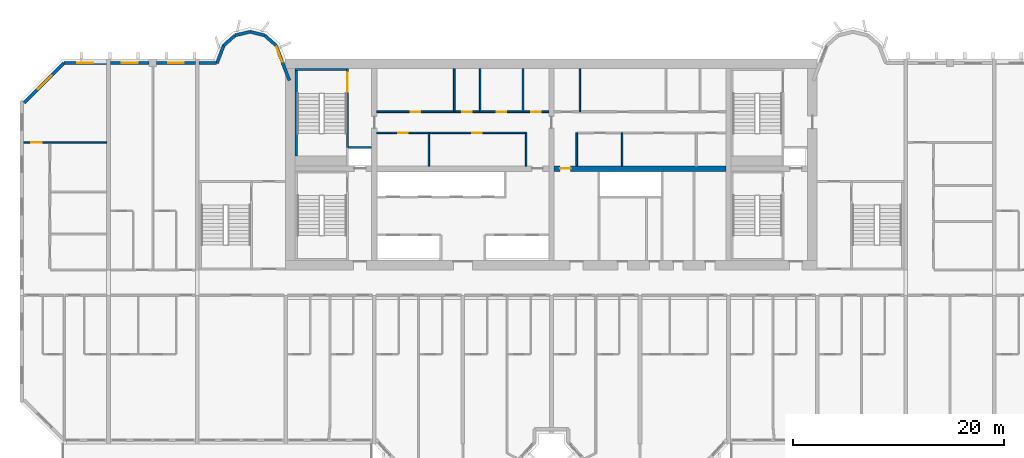
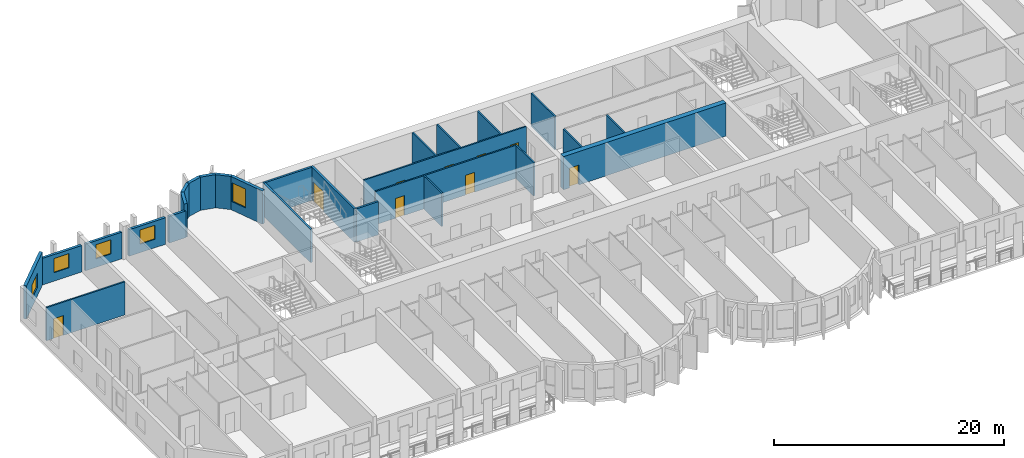
# One storey, part 7 of 15: 27 walls, 9 doors, 5 windows, 14 openings.
"""IFC4 building model written with IfcOpenShell, lengths in metres."""

from ifc_helpers import new_model, si_unit, direction, frame, frame_2d, origin, place, context, subcontext, project, spatial, rectangle, extrude, source, transform, mapped, material, layer, layer_set, type_object, element, fill, save


model = new_model("IFC4")

# Units and contexts
model_context = context("Model", 3, precision=1e-05, world=origin(), true_north=direction((0.0, 1.0)))
body_context = subcontext(model_context, "Body", "Model", "MODEL_VIEW")
ifc_project = project(units=[si_unit("LENGTHUNIT", "METRE"), si_unit("AREAUNIT", "SQUARE_METRE"), si_unit("VOLUMEUNIT", "CUBIC_METRE"), si_unit("PLANEANGLEUNIT", "RADIAN"), si_unit("MASSUNIT", "GRAM", prefix="KILO")], contexts=[model_context])

# Site, building, storey
site_placement = place(None, origin())
site = spatial("IfcSite", under=ifc_project, at=site_placement, CompositionType="ELEMENT")
building_placement = place(site_placement, origin())
building = spatial("IfcBuilding", under=site, at=building_placement, Name="Vanashikhar Sky Hotel", CompositionType="ELEMENT")
storey_placement = place(building_placement, frame((0.0, 0.0, 95.199951171875)))
storey = spatial("IfcBuildingStorey", under=building, at=storey_placement, Name="L22", CompositionType="ELEMENT", Elevation=95.199951171875)

# Wall, opening, door
ifc_material_1 = material(Name="Concrete M70", Category="concrete")
ifc_layer_1 = layer(ifc_material_1, 0.5)
ifc_layer_set_1 = layer_set([ifc_layer_1], Name="RC core inner wall 500 Concrete M70")
wall_type_1 = type_object("IfcWallType", Name="RC core inner wall 500 Concrete M70", PredefinedType="SHEAR", material=ifc_layer_set_1)
shared_shape_1 = source(origin(), body_context, "Body", "SweptSolid", [
    extrude(rectangle(XDim=16.300048828125, YDim=0.5, at=frame_2d((8.14990234375, 0.0))), origin(), (0.0, 0.0, 1.0), 3.52001953125),
])
wall_1_placement = place(storey_placement, frame((50.64990234375, 31.60009765625, 0.0), z_axis=(0.0, 0.0, 1.0), x_axis=(1.0, 0.0, 0.0)))
wall_1 = element("IfcWall", 1, at=wall_1_placement, inside=storey, type_object=wall_type_1, Name="KW-L22-KY3", PredefinedType="SHEAR", context=body_context, shape_type="MappedRepresentation", body=[
    mapped(shared_shape_1, transform((0.0, 0.0, 0.0), scale=1.0)),
])
shared_shape_2 = source(origin(), body_context, "Body", "SweptSolid", [
    extrude(rectangle(XDim=1.0, YDim=2.10009765625, at=frame_2d((0.5, 1.050048828125))), frame((0.0, 0.260009765625, 0.0), z_axis=(0.0, -1.0, 0.0), x_axis=(1.0, 0.0, 0.0)), (0.0, 0.0, 1.0), 0.52001953125),
])
opening_1_placement = place(wall_1_placement, frame((0.574951171875, 0.0, 0.0)))
opening_1 = element("IfcOpeningElement", 2, at=opening_1_placement, cuts=wall_1, Name="Opening DC-4", PredefinedType="OPENING", context=body_context, shape_type="MappedRepresentation", body=[
    mapped(shared_shape_2, transform((0.0, 0.0, 0.0), scale=1.0)),
])
ifc_material_2 = material(Name="Steel", Category="steel")
door_type_1 = type_object("IfcDoorType", Name="Service door 1000 FD60", OperationType="NOTDEFINED", PredefinedType="DOOR", material=ifc_material_2)
shared_shape_3 = source(origin(), body_context, "Body", "SweptSolid", [
    extrude(rectangle(XDim=1.0, YDim=2.10009765625, at=frame_2d((0.5, 1.050048828125))), frame((0.0, 0.02490234375, 0.0), z_axis=(0.0, -1.0, 0.0), x_axis=(1.0, 0.0, 0.0)), (0.0, 0.0, 1.0), 0.050048828125),
])
door_1_placement = place(opening_1_placement, origin())
door_1 = element("IfcDoor", 3, at=door_1_placement, inside=storey, type_object=door_type_1, Name="Service door 1000 FD60", OperationType="SINGLE_SWING_LEFT", OverallHeight=2.10009765625, OverallWidth=1.0, PredefinedType="DOOR", context=body_context, shape_type="MappedRepresentation", body=[
    mapped(shared_shape_3, transform((0.0, 0.0, 0.0), scale=1.0)),
])
fill(opening_1, door_1)

# Wall, opening, window
ifc_material_3 = material(Name="Concrete M50", Category="concrete")
ifc_layer_2 = layer(ifc_material_3, 0.300048828125)
ifc_layer_set_2 = layer_set([ifc_layer_2], Name="Lobe wall 300")
wall_type_2 = type_object("IfcWallType", Name="Lobe wall 300", PredefinedType="SOLIDWALL", material=ifc_layer_set_2)
shared_shape_4 = source(origin(), body_context, "Body", "SweptSolid", [
    extrude(rectangle(XDim=5.32568359375, YDim=0.300048828125, at=frame_2d((2.662841796875, 0.0))), origin(), (0.0, 0.0, 1.0), 3.52001953125),
])
wall_2_placement = place(storey_placement, frame((4.165771484375, 41.60009765625, 0.0), z_axis=(0.0, 0.0, 1.0), x_axis=(-0.707106781187, -0.707106781187, 0.0)))
wall_2 = element("IfcWall", 4, at=wall_2_placement, inside=storey, type_object=wall_type_2, Name="Corner wall", PredefinedType="SOLIDWALL", context=body_context, shape_type="MappedRepresentation", body=[
    mapped(shared_shape_4, transform((0.0, 0.0, 0.0), scale=1.0)),
])
shared_shape_5 = source(origin(), body_context, "Body", "SweptSolid", [
    extrude(rectangle(XDim=1.800048828125, YDim=1.5, at=frame_2d((0.89990234375, 0.75))), frame((0.0, 0.16015625, 0.0), z_axis=(0.0, -1.0, 0.0), x_axis=(1.0, 0.0, 0.0)), (0.0, 0.0, 1.0), 0.320068359375),
])
opening_2_placement = place(wall_2_placement, frame((1.671875, 0.0, 0.89990234375)))
opening_2 = element("IfcOpeningElement", 5, at=opening_2_placement, cuts=wall_2, Name="Opening WN-4", PredefinedType="OPENING", context=body_context, shape_type="MappedRepresentation", body=[
    mapped(shared_shape_5, transform((0.0, 0.0, 0.0), scale=1.0)),
])
ifc_material_4 = material(Name="Glass", Category="glass")
window_type_1 = type_object("IfcWindowType", Name="Corner window 1800 x 1500", PartitioningType="SINGLE_PANEL", PredefinedType="WINDOW", material=ifc_material_4)
shared_shape_6 = source(origin(), body_context, "Body", "SweptSolid", [
    extrude(rectangle(XDim=1.800048828125, YDim=1.5, at=frame_2d((0.89990234375, 0.75))), frame((0.0, 0.030029296875, 0.0), z_axis=(0.0, -1.0, 0.0), x_axis=(1.0, 0.0, 0.0)), (0.0, 0.0, 1.0), 0.06005859375),
])
window_1_placement = place(opening_2_placement, origin())
window_1 = element("IfcWindow", 6, at=window_1_placement, inside=storey, type_object=window_type_1, Name="Window WN-4", OverallHeight=1.5, OverallWidth=1.800048828125, PartitioningType="SINGLE_PANEL", PredefinedType="WINDOW", context=body_context, shape_type="MappedRepresentation", body=[
    mapped(shared_shape_6, transform((0.0, 0.0, 0.0), scale=1.0)),
])
fill(opening_2, window_1)

shared_shape_7 = source(origin(), body_context, "Body", "SweptSolid", [
    extrude(rectangle(XDim=3.55908203125, YDim=0.300048828125, at=frame_2d((1.779541015625, 0.0))), origin(), (0.0, 0.0, 1.0), 3.52001953125),
])
wall_3_placement = place(storey_placement, frame((25.550048828125, 39.968505859375, 0.0), z_axis=(0.0, 0.0, 1.0), x_axis=(-0.35779745313, 0.933799219604, 0.0)))
wall_3 = element("IfcWall", 7, at=wall_3_placement, inside=storey, type_object=wall_type_2, Name="Lobe wall", PredefinedType="SOLIDWALL", context=body_context, shape_type="MappedRepresentation", body=[
    mapped(shared_shape_7, transform((0.0, 0.0, 0.0), scale=1.0)),
])
shared_shape_8 = source(origin(), body_context, "Body", "SweptSolid", [
    extrude(rectangle(XDim=1.5, YDim=2.0, at=frame_2d((0.75, 1.0))), frame((0.0, 0.16015625, 0.0), z_axis=(0.0, -1.0, 0.0), x_axis=(1.0, 0.0, 0.0)), (0.0, 0.0, 1.0), 0.320068359375),
])
opening_3_placement = place(wall_3_placement, frame((1.9033203125, 0.0, 0.89990234375)))
opening_3 = element("IfcOpeningElement", 8, at=opening_3_placement, cuts=wall_3, Name="Opening WN-2", PredefinedType="OPENING", context=body_context, shape_type="MappedRepresentation", body=[
    mapped(shared_shape_8, transform((0.0, 0.0, 0.0), scale=1.0)),
])
window_type_2 = type_object("IfcWindowType", Name="Lobe window 1500 x 2000", PartitioningType="SINGLE_PANEL", PredefinedType="WINDOW", material=ifc_material_4)
shared_shape_9 = source(origin(), body_context, "Body", "SweptSolid", [
    extrude(rectangle(XDim=1.5, YDim=2.0, at=frame_2d((0.75, 1.0))), frame((0.0, 0.030029296875, 0.0), z_axis=(0.0, -1.0, 0.0), x_axis=(1.0, 0.0, 0.0)), (0.0, 0.0, 1.0), 0.06005859375),
])
window_2_placement = place(opening_3_placement, origin())
window_2 = element("IfcWindow", 9, at=window_2_placement, inside=storey, type_object=window_type_2, Name="Window WN-2", OverallHeight=2.0, OverallWidth=1.5, PartitioningType="SINGLE_PANEL", PredefinedType="WINDOW", context=body_context, shape_type="MappedRepresentation", body=[
    mapped(shared_shape_9, transform((0.0, 0.0, 0.0), scale=1.0)),
])
fill(opening_3, window_2)

# Walls
shared_shape_10 = source(origin(), body_context, "Body", "SweptSolid", [
    extrude(rectangle(XDim=1.440185546875, YDim=0.300048828125, at=frame_2d((0.72021484375, 0.0))), origin(), (0.0, 0.0, 1.0), 3.52001953125),
])
wall_4_placement = place(storey_placement, frame((24.276611328125, 43.2919921875, 0.0), z_axis=(0.0, 0.0, 1.0), x_axis=(-0.749649827867, 0.661834673902, 0.0)))
element("IfcWall", 10, at=wall_4_placement, inside=storey, type_object=wall_type_2, Name="Lobe wall", PredefinedType="SOLIDWALL", context=body_context, shape_type="MappedRepresentation", body=[
    mapped(shared_shape_10, transform((0.0, 0.0, 0.0), scale=1.0)),
])
shared_shape_11 = source(origin(), body_context, "Body", "SweptSolid", [
    extrude(rectangle(XDim=1.4384765625, YDim=0.300048828125, at=frame_2d((0.71923828125, 0.0))), origin(), (0.0, 0.0, 1.0), 3.52001953125),
])
wall_5_placement = place(storey_placement, frame((23.197021484375, 44.2451171875, 0.0), z_axis=(0.0, 0.0, 1.0), x_axis=(-0.971152283879, 0.238460146601, 0.0)))
element("IfcWall", 11, at=wall_5_placement, inside=storey, type_object=wall_type_2, Name="Lobe wall", PredefinedType="SOLIDWALL", context=body_context, shape_type="MappedRepresentation", body=[
    mapped(shared_shape_11, transform((0.0, 0.0, 0.0), scale=1.0)),
])
shared_shape_12 = source(origin(), body_context, "Body", "SweptSolid", [
    extrude(rectangle(XDim=1.438720703125, YDim=0.300048828125, at=frame_2d((0.71923828125, 0.0))), origin(), (0.0, 0.0, 1.0), 3.52001953125),
])
wall_6_placement = place(storey_placement, frame((21.800048828125, 44.588134765625, 0.0), z_axis=(0.0, 0.0, 1.0), x_axis=(-0.971161932466, -0.238420848351, 0.0)))
element("IfcWall", 12, at=wall_6_placement, inside=storey, type_object=wall_type_2, Name="Lobe wall", PredefinedType="SOLIDWALL", context=body_context, shape_type="MappedRepresentation", body=[
    mapped(shared_shape_12, transform((0.0, 0.0, 0.0), scale=1.0)),
])
shared_shape_13 = source(origin(), body_context, "Body", "SweptSolid", [
    extrude(rectangle(XDim=1.43994140625, YDim=0.300048828125, at=frame_2d((0.719970703125, 0.0))), origin(), (0.0, 0.0, 1.0), 3.52001953125),
])
wall_7_placement = place(storey_placement, frame((20.40283203125, 44.2451171875, 0.0), z_axis=(0.0, 0.0, 1.0), x_axis=(-0.74957555648, -0.661918790432, 0.0)))
element("IfcWall", 13, at=wall_7_placement, inside=storey, type_object=wall_type_2, Name="Lobe wall", PredefinedType="SOLIDWALL", context=body_context, shape_type="MappedRepresentation", body=[
    mapped(shared_shape_13, transform((0.0, 0.0, 0.0), scale=1.0)),
])
shared_shape_14 = source(origin(), body_context, "Body", "SweptSolid", [
    extrude(rectangle(XDim=1.81201171875, YDim=0.300048828125, at=frame_2d((0.906005859375, 0.0))), origin(), (0.0, 0.0, 1.0), 3.52001953125),
])
wall_8_placement = place(storey_placement, frame((19.323486328125, 43.2919921875, 0.0), z_axis=(0.0, 0.0, 1.0), x_axis=(-0.357877270961, -0.93376863244, 0.0)))
element("IfcWall", 14, at=wall_8_placement, inside=storey, type_object=wall_type_2, Name="Lobe wall", PredefinedType="SOLIDWALL", context=body_context, shape_type="MappedRepresentation", body=[
    mapped(shared_shape_14, transform((0.0, 0.0, 0.0), scale=1.0)),
])

# Wall, opening, window
ifc_layer_3 = layer(ifc_material_3, 0.25)
ifc_layer_set_3 = layer_set([ifc_layer_3], Name="Rear and end board-marked wall 250")
wall_type_3 = type_object("IfcWallType", Name="Rear and end board-marked wall 250", PredefinedType="SOLIDWALL", material=ifc_layer_set_3)
shared_shape_15 = source(origin(), body_context, "Body", "SweptSolid", [
    extrude(rectangle(XDim=4.06982421875, YDim=0.25, at=frame_2d((2.034912109375, 0.0))), origin(), (0.0, 0.0, 1.0), 2.820068359375),
])
wall_9_placement = place(storey_placement, frame((8.22509765625, 41.625, 0.0), z_axis=(0.0, 0.0, 1.0), x_axis=(-1.0, 0.0, 0.0)))
wall_9 = element("IfcWall", 15, at=wall_9_placement, inside=storey, type_object=wall_type_3, Name="Rear board-marked wall", PredefinedType="SOLIDWALL", context=body_context, shape_type="MappedRepresentation", body=[
    mapped(shared_shape_15, transform((0.0, 0.0, 0.0), scale=1.0)),
])
shared_shape_16 = source(origin(), body_context, "Body", "SweptSolid", [
    extrude(rectangle(XDim=1.5, YDim=1.5, at=frame_2d((0.75, 0.75))), frame((0.0, 0.135009765625, 0.0), z_axis=(0.0, -1.0, 0.0), x_axis=(1.0, 0.0, 0.0)), (0.0, 0.0, 1.0), 0.27001953125),
])
opening_4_placement = place(wall_9_placement, frame((1.284912109375, 0.0, 0.89990234375)))
opening_4 = element("IfcOpeningElement", 16, at=opening_4_placement, cuts=wall_9, Name="Opening WN-1", PredefinedType="OPENING", context=body_context, shape_type="MappedRepresentation", body=[
    mapped(shared_shape_16, transform((0.0, 0.0, 0.0), scale=1.0)),
])
window_type_3 = type_object("IfcWindowType", Name="Window 1500 x 1500", PartitioningType="SINGLE_PANEL", PredefinedType="WINDOW", material=ifc_material_4)
shared_shape_17 = source(origin(), body_context, "Body", "SweptSolid", [
    extrude(rectangle(XDim=1.5, YDim=1.5, at=frame_2d((0.75, 0.75))), frame((0.0, 0.030029296875, 0.0), z_axis=(0.0, -1.0, 0.0), x_axis=(1.0, 0.0, 0.0)), (0.0, 0.0, 1.0), 0.06005859375),
])
window_3_placement = place(opening_4_placement, origin())
window_3 = element("IfcWindow", 17, at=window_3_placement, inside=storey, type_object=window_type_3, Name="Window WN-1", OverallHeight=1.5, OverallWidth=1.5, PartitioningType="SINGLE_PANEL", PredefinedType="WINDOW", context=body_context, shape_type="MappedRepresentation", body=[
    mapped(shared_shape_17, transform((0.0, 0.0, 0.0), scale=1.0)),
])
fill(opening_4, window_3)

shared_shape_18 = source(origin(), body_context, "Body", "SweptSolid", [
    extrude(rectangle(XDim=3.675048828125, YDim=0.25, at=frame_2d((1.83740234375, 0.0))), origin(), (0.0, 0.0, 1.0), 2.820068359375),
])
wall_10_placement = place(storey_placement, frame((12.25, 41.625, 0.0), z_axis=(0.0, 0.0, 1.0), x_axis=(-1.0, 0.0, 0.0)))
wall_10 = element("IfcWall", 18, at=wall_10_placement, inside=storey, type_object=wall_type_3, Name="Rear board-marked wall", PredefinedType="SOLIDWALL", context=body_context, shape_type="MappedRepresentation", body=[
    mapped(shared_shape_18, transform((0.0, 0.0, 0.0), scale=1.0)),
])
opening_5_placement = place(wall_10_placement, frame((1.08740234375, 0.0, 0.89990234375)))
opening_5 = element("IfcOpeningElement", 19, at=opening_5_placement, cuts=wall_10, Name="Opening WN-1", PredefinedType="OPENING", context=body_context, shape_type="MappedRepresentation", body=[
    mapped(shared_shape_16, transform((0.0, 0.0, 0.0), scale=1.0)),
])
window_4_placement = place(opening_5_placement, origin())
window_4 = element("IfcWindow", 20, at=window_4_placement, inside=storey, type_object=window_type_3, Name="Window WN-1", OverallHeight=1.5, OverallWidth=1.5, PartitioningType="SINGLE_PANEL", PredefinedType="WINDOW", context=body_context, shape_type="MappedRepresentation", body=[
    mapped(shared_shape_17, transform((0.0, 0.0, 0.0), scale=1.0)),
])
fill(opening_5, window_4)

wall_11_placement = place(storey_placement, frame((16.625, 41.625, 0.0), z_axis=(0.0, 0.0, 1.0), x_axis=(-1.0, 0.0, 0.0)))
wall_11 = element("IfcWall", 21, at=wall_11_placement, inside=storey, type_object=wall_type_3, Name="Rear board-marked wall", PredefinedType="SOLIDWALL", context=body_context, shape_type="MappedRepresentation", body=[
    mapped(shared_shape_18, transform((0.0, 0.0, 0.0), scale=1.0)),
])
opening_6_placement = place(wall_11_placement, frame((1.08740234375, 0.0, 0.89990234375)))
opening_6 = element("IfcOpeningElement", 22, at=opening_6_placement, cuts=wall_11, Name="Opening WN-1", PredefinedType="OPENING", context=body_context, shape_type="MappedRepresentation", body=[
    mapped(shared_shape_16, transform((0.0, 0.0, 0.0), scale=1.0)),
])
window_5_placement = place(opening_6_placement, origin())
window_5 = element("IfcWindow", 23, at=window_5_placement, inside=storey, type_object=window_type_3, Name="Window WN-1", OverallHeight=1.5, OverallWidth=1.5, PartitioningType="SINGLE_PANEL", PredefinedType="WINDOW", context=body_context, shape_type="MappedRepresentation", body=[
    mapped(shared_shape_17, transform((0.0, 0.0, 0.0), scale=1.0)),
])
fill(opening_6, window_5)

# Walls
shared_shape_19 = source(origin(), body_context, "Body", "SweptSolid", [
    extrude(rectangle(XDim=1.682861328125, YDim=0.25, at=frame_2d((0.84130859375, 0.0))), origin(), (0.0, 0.0, 1.0), 2.820068359375),
])
wall_12_placement = place(storey_placement, frame((18.657958984375, 41.625, 0.0), z_axis=(0.0, 0.0, 1.0), x_axis=(-1.0, 0.0, 0.0)))
element("IfcWall", 24, at=wall_12_placement, inside=storey, type_object=wall_type_3, Name="Rear board-marked wall", PredefinedType="SOLIDWALL", context=body_context, shape_type="MappedRepresentation", body=[
    mapped(shared_shape_19, transform((0.0, 0.0, 0.0), scale=1.0)),
])
ifc_material_5 = material(Name="Gypsum board partition")
ifc_layer_4 = layer(ifc_material_5, 0.14990234375)
ifc_layer_set_4 = layer_set([ifc_layer_4], Name="Service partition 150")
wall_type_4 = type_object("IfcWallType", Name="Service partition 150", PredefinedType="PARTITIONING", material=ifc_layer_set_4)
shared_shape_20 = source(origin(), body_context, "Body", "SweptSolid", [
    extrude(rectangle(XDim=3.14990234375, YDim=0.14990234375, at=frame_2d((1.574951171875, 0.0))), origin(), (0.0, 0.0, 1.0), 3.52001953125),
])
for number, where, z_axis, x_axis, name in (
    (25, (48.0, 31.85009765625, 0.0), (0.0, 0.0, 1.0), (0.0, 1.0, 0.0), "Service partition 150"),
    (26, (38.77587890625, 31.85009765625, 0.0), (0.0, 0.0, 1.0), (0.0, 1.0, 0.0), "Service partition 150"),
    (27, (52.800048828125, 31.85009765625, 0.0), (0.0, 0.0, 1.0), (0.0, 1.0, 0.0), "Service partition 150"),
    (28, (57.096923828125, 31.85009765625, 0.0), (0.0, 0.0, 1.0), (0.0, 1.0, 0.0), "Service partition 150"),
):
    element("IfcWall", number, at=place(storey_placement, frame(where, z_axis=z_axis, x_axis=x_axis)), inside=storey, type_object=wall_type_4, Name=name, PredefinedType="PARTITIONING", context=body_context, shape_type="MappedRepresentation", body=[
        mapped(shared_shape_20, transform((0.0, 0.0, 0.0), scale=1.0)),
    ])

# Wall, openings, doors
shared_shape_21 = source(origin(), body_context, "Body", "SweptSolid", [
    extrude(rectangle(XDim=14.14990234375, YDim=0.14990234375, at=frame_2d((7.074951171875, 0.0))), origin(), (0.0, 0.0, 1.0), 3.52001953125),
])
wall_13_placement = place(storey_placement, frame((33.85009765625, 35.0, 0.0), z_axis=(0.0, 0.0, 1.0), x_axis=(1.0, 0.0, 0.0)))
wall_13 = element("IfcWall", 29, at=wall_13_placement, inside=storey, type_object=wall_type_4, Name="Service partition 150", PredefinedType="PARTITIONING", context=body_context, shape_type="MappedRepresentation", body=[
    mapped(shared_shape_21, transform((0.0, 0.0, 0.0), scale=1.0)),
])
shared_shape_22 = source(origin(), body_context, "Body", "SweptSolid", [
    extrude(rectangle(XDim=0.89990234375, YDim=2.10009765625, at=frame_2d((0.449951171875, 1.050048828125))), frame((0.0, 0.0849609375, 0.0), z_axis=(0.0, -1.0, 0.0), x_axis=(1.0, 0.0, 0.0)), (0.0, 0.0, 1.0), 0.169921875),
])
opening_7_placement = place(wall_13_placement, frame((2.012939453125, 0.0, 0.0)))
opening_7 = element("IfcOpeningElement", 30, at=opening_7_placement, cuts=wall_13, Name="Opening DC-4-A", PredefinedType="OPENING", context=body_context, shape_type="MappedRepresentation", body=[
    mapped(shared_shape_22, transform((0.0, 0.0, 0.0), scale=1.0)),
])
opening_8_placement = place(wall_13_placement, frame((9.051025390625, 0.0, 0.0)))
opening_8 = element("IfcOpeningElement", 31, at=opening_8_placement, cuts=wall_13, Name="Opening DC-4-A", PredefinedType="OPENING", context=body_context, shape_type="MappedRepresentation", body=[
    mapped(shared_shape_22, transform((0.0, 0.0, 0.0), scale=1.0)),
])
door_type_2 = type_object("IfcDoorType", Name="Service door 900 FD60", OperationType="NOTDEFINED", PredefinedType="DOOR", material=ifc_material_2)
shared_shape_23 = source(origin(), body_context, "Body", "SweptSolid", [
    extrude(rectangle(XDim=0.89990234375, YDim=2.10009765625, at=frame_2d((0.449951171875, 1.050048828125))), frame((0.0, 0.02490234375, 0.0), z_axis=(0.0, -1.0, 0.0), x_axis=(1.0, 0.0, 0.0)), (0.0, 0.0, 1.0), 0.050048828125),
])
door_2_placement = place(opening_7_placement, origin())
door_2 = element("IfcDoor", 32, at=door_2_placement, inside=storey, type_object=door_type_2, Name="Service door 900 FD60", OperationType="SINGLE_SWING_RIGHT", OverallHeight=2.10009765625, OverallWidth=0.89990234375, PredefinedType="DOOR", context=body_context, shape_type="MappedRepresentation", body=[
    mapped(shared_shape_23, transform((0.0, 0.0, 0.0), scale=1.0)),
])
fill(opening_7, door_2)
door_3_placement = place(opening_8_placement, origin())
door_3 = element("IfcDoor", 33, at=door_3_placement, inside=storey, type_object=door_type_2, Name="Service door 900 FD60", OperationType="SINGLE_SWING_RIGHT", OverallHeight=2.10009765625, OverallWidth=0.89990234375, PredefinedType="DOOR", context=body_context, shape_type="MappedRepresentation", body=[
    mapped(shared_shape_23, transform((0.0, 0.0, 0.0), scale=1.0)),
])
fill(opening_8, door_3)

shared_shape_24 = source(origin(), body_context, "Body", "SweptSolid", [
    extrude(rectangle(XDim=16.2998046875, YDim=0.14990234375, at=frame_2d((8.14990234375, 0.0))), origin(), (0.0, 0.0, 1.0), 3.52001953125),
])
wall_14_placement = place(storey_placement, frame((33.85009765625, 37.0, 0.0), z_axis=(0.0, 0.0, 1.0), x_axis=(1.0, 0.0, 0.0)))
wall_14 = element("IfcWall", 34, at=wall_14_placement, inside=storey, type_object=wall_type_4, Name="Service partition 150", PredefinedType="PARTITIONING", context=body_context, shape_type="MappedRepresentation", body=[
    mapped(shared_shape_24, transform((0.0, 0.0, 0.0), scale=1.0)),
])
opening_9_placement = place(wall_14_placement, frame((3.217041015625, 0.0, 0.0)))
opening_9 = element("IfcOpeningElement", 35, at=opening_9_placement, cuts=wall_14, Name="Opening DC-4-A", PredefinedType="OPENING", context=body_context, shape_type="MappedRepresentation", body=[
    mapped(shared_shape_22, transform((0.0, 0.0, 0.0), scale=1.0)),
])
opening_10_placement = place(wall_14_placement, frame((8.10693359375, 0.0, 0.0)))
opening_10 = element("IfcOpeningElement", 36, at=opening_10_placement, cuts=wall_14, Name="Opening DC-4-A", PredefinedType="OPENING", context=body_context, shape_type="MappedRepresentation", body=[
    mapped(shared_shape_22, transform((0.0, 0.0, 0.0), scale=1.0)),
])
opening_11_placement = place(wall_14_placement, frame((11.367919921875, 0.0, 0.0)))
opening_11 = element("IfcOpeningElement", 37, at=opening_11_placement, cuts=wall_14, Name="Opening DC-4-A", PredefinedType="OPENING", context=body_context, shape_type="MappedRepresentation", body=[
    mapped(shared_shape_22, transform((0.0, 0.0, 0.0), scale=1.0)),
])
opening_12_placement = place(wall_14_placement, frame((14.626953125, 0.0, 0.0)))
opening_12 = element("IfcOpeningElement", 38, at=opening_12_placement, cuts=wall_14, Name="Opening DC-4-A", PredefinedType="OPENING", context=body_context, shape_type="MappedRepresentation", body=[
    mapped(shared_shape_22, transform((0.0, 0.0, 0.0), scale=1.0)),
])
door_4_placement = place(opening_9_placement, origin())
door_4 = element("IfcDoor", 39, at=door_4_placement, inside=storey, type_object=door_type_2, Name="Service door 900 FD60", OperationType="SINGLE_SWING_RIGHT", OverallHeight=2.10009765625, OverallWidth=0.89990234375, PredefinedType="DOOR", context=body_context, shape_type="MappedRepresentation", body=[
    mapped(shared_shape_23, transform((0.0, 0.0, 0.0), scale=1.0)),
])
fill(opening_9, door_4)
door_5_placement = place(opening_10_placement, origin())
door_5 = element("IfcDoor", 40, at=door_5_placement, inside=storey, type_object=door_type_2, Name="Service door 900 FD60", OperationType="SINGLE_SWING_RIGHT", OverallHeight=2.10009765625, OverallWidth=0.89990234375, PredefinedType="DOOR", context=body_context, shape_type="MappedRepresentation", body=[
    mapped(shared_shape_23, transform((0.0, 0.0, 0.0), scale=1.0)),
])
fill(opening_10, door_5)
door_6_placement = place(opening_11_placement, origin())
door_6 = element("IfcDoor", 41, at=door_6_placement, inside=storey, type_object=door_type_2, Name="Service door 900 FD60", OperationType="SINGLE_SWING_RIGHT", OverallHeight=2.10009765625, OverallWidth=0.89990234375, PredefinedType="DOOR", context=body_context, shape_type="MappedRepresentation", body=[
    mapped(shared_shape_23, transform((0.0, 0.0, 0.0), scale=1.0)),
])
fill(opening_11, door_6)
door_7_placement = place(opening_12_placement, origin())
door_7 = element("IfcDoor", 42, at=door_7_placement, inside=storey, type_object=door_type_2, Name="Service door 900 FD60", OperationType="SINGLE_SWING_LEFT", OverallHeight=2.10009765625, OverallWidth=0.89990234375, PredefinedType="DOOR", context=body_context, shape_type="MappedRepresentation", body=[
    mapped(shared_shape_23, transform((0.0, 0.0, 0.0), scale=1.0)),
])
fill(opening_12, door_7)

# Walls
shared_shape_25 = source(origin(), body_context, "Body", "SweptSolid", [
    extrude(rectangle(XDim=4.10009765625, YDim=0.14990234375, at=frame_2d((2.050048828125, 0.0))), origin(), (0.0, 0.0, 1.0), 3.52001953125),
])
for number, where, z_axis, x_axis, name in (
    (43, (41.18505859375, 37.0, 0.0), (0.0, 0.0, 1.0), (0.0, 1.0, 0.0), "Service partition 150"),
    (44, (43.6298828125, 37.0, 0.0), (0.0, 0.0, 1.0), (0.0, 1.0, 0.0), "Service partition 150"),
    (45, (47.705078125, 37.0, 0.0), (0.0, 0.0, 1.0), (0.0, 1.0, 0.0), "Service partition 150"),
    (46, (53.094970703125, 37.0, 0.0), (0.0, 0.0, 1.0), (0.0, 1.0, 0.0), "Service partition 150"),
):
    element("IfcWall", number, at=place(storey_placement, frame(where, z_axis=z_axis, x_axis=x_axis)), inside=storey, type_object=wall_type_4, Name=name, PredefinedType="PARTITIONING", context=body_context, shape_type="MappedRepresentation", body=[
        mapped(shared_shape_25, transform((0.0, 0.0, 0.0), scale=1.0)),
    ])
ifc_material_6 = material(Name="Concrete M40", Category="concrete")
ifc_layer_5 = layer(ifc_material_6, 0.199951171875)
ifc_layer_set_5 = layer_set([ifc_layer_5], Name="Shaft wall 200")
wall_type_5 = type_object("IfcWallType", Name="Shaft wall 200", PredefinedType="SOLIDWALL", material=ifc_layer_set_5)
shared_shape_26 = source(origin(), body_context, "Body", "SweptSolid", [
    extrude(rectangle(XDim=2.2001953125, YDim=0.199951171875, at=frame_2d((1.10009765625, 0.0))), origin(), (0.0, 0.0, 1.0), 3.52001953125),
])
wall_15_placement = place(storey_placement, frame((31.14990234375, 33.60009765625, 0.0), z_axis=(0.0, 0.0, 1.0), x_axis=(1.0, 0.0, 0.0)))
element("IfcWall", 47, at=wall_15_placement, inside=storey, type_object=wall_type_5, Name="Shaft wall 200", PredefinedType="SOLIDWALL", context=body_context, shape_type="MappedRepresentation", body=[
    mapped(shared_shape_26, transform((0.0, 0.0, 0.0), scale=1.0)),
])

# Wall, opening, door
ifc_layer_6 = layer(ifc_material_3, 0.199951171875)
ifc_layer_set_6 = layer_set([ifc_layer_6], Name="Stair wall 200")
wall_type_6 = type_object("IfcWallType", Name="Stair wall 200", PredefinedType="SOLIDWALL", material=ifc_layer_set_6)
shared_shape_27 = source(origin(), body_context, "Body", "SweptSolid", [
    extrude(rectangle(XDim=7.5, YDim=0.199951171875, at=frame_2d((3.75, 0.0))), origin(), (0.0, 0.0, 1.0), 3.52001953125),
])
wall_16_placement = place(storey_placement, frame((31.050048828125, 33.60009765625, 0.0), z_axis=(0.0, 0.0, 1.0), x_axis=(0.0, 1.0, 0.0)))
wall_16 = element("IfcWall", 48, at=wall_16_placement, inside=storey, type_object=wall_type_6, Name="Stair wall 200", PredefinedType="SOLIDWALL", context=body_context, shape_type="MappedRepresentation", body=[
    mapped(shared_shape_27, transform((0.0, 0.0, 0.0), scale=1.0)),
])
shared_shape_28 = source(origin(), body_context, "Body", "SweptSolid", [
    extrude(rectangle(XDim=1.800048828125, YDim=2.10009765625, at=frame_2d((0.89990234375, 1.050048828125))), frame((0.0, 0.10986328125, 0.0), z_axis=(0.0, -1.0, 0.0), x_axis=(1.0, 0.0, 0.0)), (0.0, 0.0, 1.0), 0.219970703125),
])
opening_13_placement = place(wall_16_placement, frame((5.300048828125, 0.0, 0.0)))
opening_13 = element("IfcOpeningElement", 49, at=opening_13_placement, cuts=wall_16, Name="Opening DC-1-A", PredefinedType="OPENING", context=body_context, shape_type="MappedRepresentation", body=[
    mapped(shared_shape_28, transform((0.0, 0.0, 0.0), scale=1.0)),
])
door_type_3 = type_object("IfcDoorType", Name="Stair door 1800 FD120", OperationType="NOTDEFINED", PredefinedType="DOOR", material=ifc_material_2)
shared_shape_29 = source(origin(), body_context, "Body", "SweptSolid", [
    extrude(rectangle(XDim=1.800048828125, YDim=2.10009765625, at=frame_2d((0.89990234375, 1.050048828125))), frame((0.0, 0.02490234375, 0.0), z_axis=(0.0, -1.0, 0.0), x_axis=(1.0, 0.0, 0.0)), (0.0, 0.0, 1.0), 0.050048828125),
])
door_8_placement = place(opening_13_placement, origin())
door_8 = element("IfcDoor", 50, at=door_8_placement, inside=storey, type_object=door_type_3, Name="Stair door 1800 FD120", OperationType="SINGLE_SWING_LEFT", OverallHeight=2.10009765625, OverallWidth=1.800048828125, PredefinedType="DOOR", context=body_context, shape_type="MappedRepresentation", body=[
    mapped(shared_shape_29, transform((0.0, 0.0, 0.0), scale=1.0)),
])
fill(opening_13, door_8)

# Walls
ifc_layer_7 = layer(ifc_material_3, 0.199951171875)
ifc_layer_set_7 = layer_set([ifc_layer_7], Name="Stair infill wall 200")
wall_type_7 = type_object("IfcWallType", Name="Stair infill wall 200", PredefinedType="SOLIDWALL", material=ifc_layer_set_7)
shared_shape_30 = source(origin(), body_context, "Body", "SweptSolid", [
    extrude(rectangle(XDim=4.849853515625, YDim=0.199951171875, at=frame_2d((2.4248046875, 0.0))), origin(), (0.0, 0.0, 1.0), 3.52001953125),
])
wall_17_placement = place(storey_placement, frame((26.10009765625, 41.0, 0.0), z_axis=(0.0, 0.0, 1.0), x_axis=(1.0, 0.0, 0.0)))
element("IfcWall", 51, at=wall_17_placement, inside=storey, type_object=wall_type_7, Name="Stair infill wall 200", PredefinedType="SOLIDWALL", context=body_context, shape_type="MappedRepresentation", body=[
    mapped(shared_shape_30, transform((0.0, 0.0, 0.0), scale=1.0)),
])
shared_shape_31 = source(origin(), body_context, "Body", "SweptSolid", [
    extrude(rectangle(XDim=8.099853515625, YDim=0.199951171875, at=frame_2d((4.0498046875, 0.0))), origin(), (0.0, 0.0, 1.0), 3.52001953125),
])
wall_18_placement = place(storey_placement, frame((26.199951171875, 32.800048828125, 0.0), z_axis=(0.0, 0.0, 1.0), x_axis=(0.0, 1.0, 0.0)))
element("IfcWall", 52, at=wall_18_placement, inside=storey, type_object=wall_type_7, Name="Stair infill wall 200", PredefinedType="SOLIDWALL", context=body_context, shape_type="MappedRepresentation", body=[
    mapped(shared_shape_31, transform((0.0, 0.0, 0.0), scale=1.0)),
])

# Wall, opening, door
ifc_material_7 = material(Name="Gypsum plasterboard partition")
ifc_layer_8 = layer(ifc_material_7, 0.14990234375)
ifc_layer_set_8 = layer_set([ifc_layer_8], Name="Corridor and demising partition 150")
wall_type_8 = type_object("IfcWallType", Name="Corridor and demising partition 150", PredefinedType="PARTITIONING", material=ifc_layer_set_8)
shared_shape_32 = source(origin(), body_context, "Body", "SweptSolid", [
    extrude(rectangle(XDim=7.875, YDim=0.14990234375, at=frame_2d((3.9375, 0.0))), origin(), (0.0, 0.0, 1.0), 3.52001953125),
])
wall_19_placement = place(storey_placement, frame((0.35009765625, 34.074951171875, 0.0), z_axis=(0.0, 0.0, 1.0), x_axis=(1.0, 0.0, 0.0)))
wall_19 = element("IfcWall", 53, at=wall_19_placement, inside=storey, type_object=wall_type_8, Name="W-L22-PW079", PredefinedType="PARTITIONING", context=body_context, shape_type="MappedRepresentation", body=[
    mapped(shared_shape_32, transform((0.0, 0.0, 0.0), scale=1.0)),
])
shared_shape_33 = source(origin(), body_context, "Body", "SweptSolid", [
    extrude(rectangle(XDim=1.0, YDim=2.10009765625, at=frame_2d((0.5, 1.050048828125))), frame((0.0, 0.0849609375, 0.0), z_axis=(0.0, -1.0, 0.0), x_axis=(1.0, 0.0, 0.0)), (0.0, 0.0, 1.0), 0.169921875),
])
opening_14_placement = place(wall_19_placement, frame((0.699951171875, 0.0, 0.0)))
opening_14 = element("IfcOpeningElement", 54, at=opening_14_placement, cuts=wall_19, Name="Opening D-01", PredefinedType="OPENING", context=body_context, shape_type="MappedRepresentation", body=[
    mapped(shared_shape_33, transform((0.0, 0.0, 0.0), scale=1.0)),
])
ifc_material_8 = material(Name="Timber fire door", Category="wood")
door_type_4 = type_object("IfcDoorType", Name="Guest entry door 1000 FD30S", OperationType="NOTDEFINED", PredefinedType="DOOR", material=ifc_material_8)
door_9_placement = place(opening_14_placement, origin())
door_9 = element("IfcDoor", 55, at=door_9_placement, inside=storey, type_object=door_type_4, Name="D-L22-045", OperationType="SINGLE_SWING_LEFT", OverallHeight=2.10009765625, OverallWidth=1.0, PredefinedType="DOOR", context=body_context, shape_type="MappedRepresentation", body=[
    mapped(shared_shape_3, transform((0.0, 0.0, 0.0), scale=1.0)),
])
fill(opening_14, door_9)

save(model, "model.ifc")
